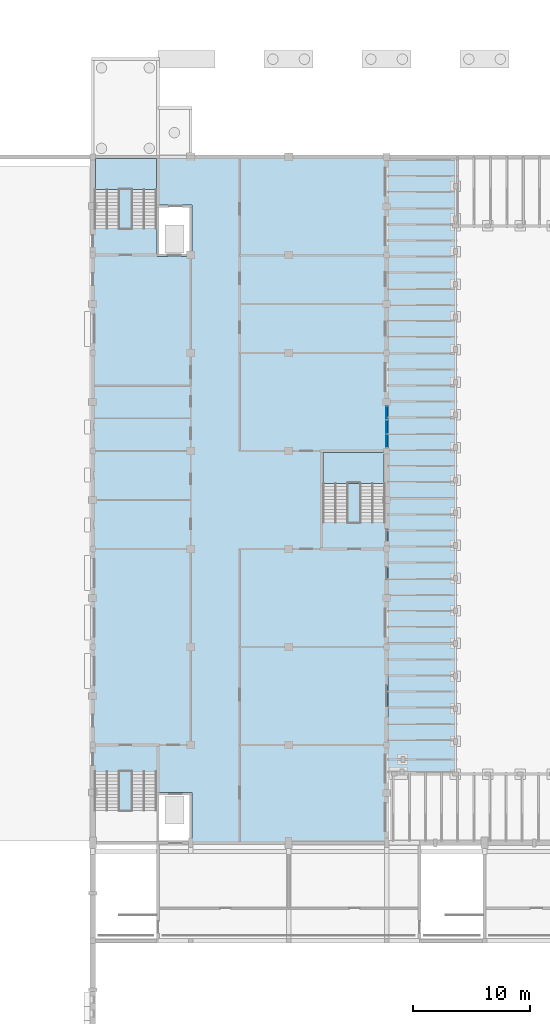
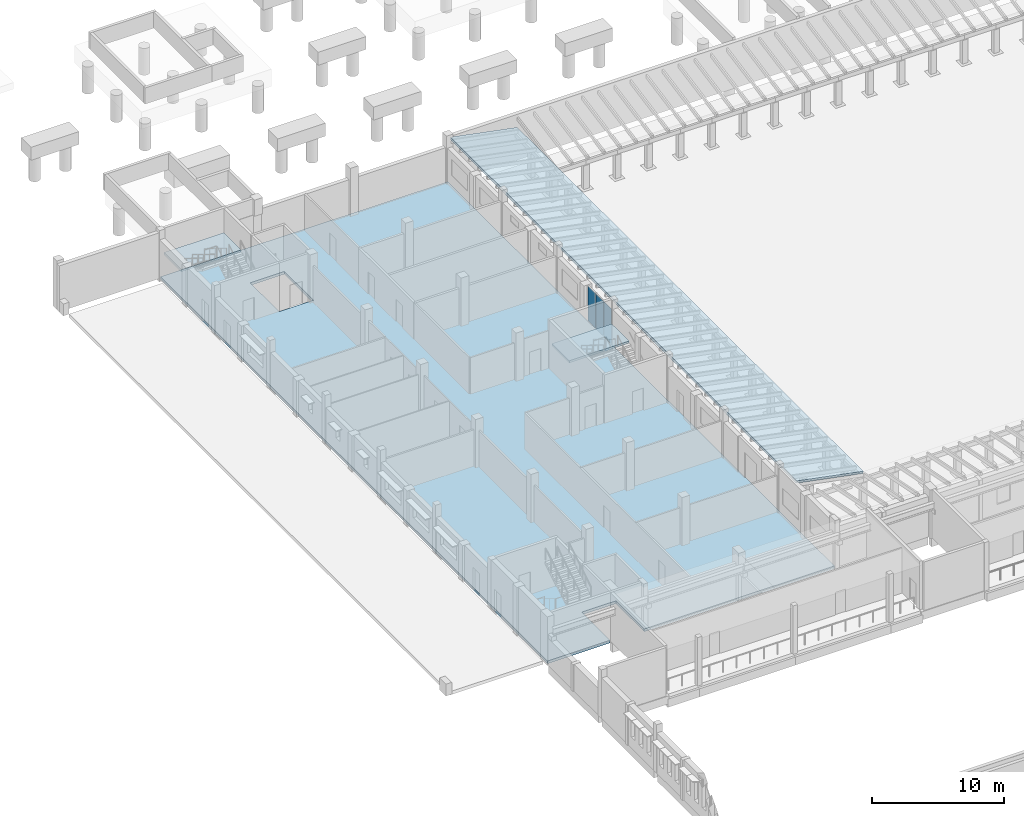
# One storey, part 28 of 60: 4 slabs, 3 plates, 3 elements without a shape of their own.
"""IFC4 building model written with IfcOpenShell, lengths in metres."""

from ifc_helpers import new_model, si_unit, direction, frame, origin, origin_2d, place, context, subcontext, project, spatial, polyline, rectangle, outline, extrude, material, layer, layer_set, type_object, element, aggregate, save


model = new_model("IFC4")

# Units and contexts
model_context = context("Model", 3, precision=1e-05, world=origin(), true_north=direction((0.0, 1.0)))
body_context = subcontext(model_context, "Body", "Model", "MODEL_VIEW")
ifc_project = project(units=[si_unit("LENGTHUNIT", "METRE"), si_unit("AREAUNIT", "SQUARE_METRE"), si_unit("VOLUMEUNIT", "CUBIC_METRE"), si_unit("PLANEANGLEUNIT", "RADIAN"), si_unit("MASSUNIT", "GRAM", prefix="KILO")], contexts=[model_context])

# Site, building, storey
site_placement = place(None, origin())
site = spatial("IfcSite", under=ifc_project, at=site_placement, CompositionType="ELEMENT")
building_placement = place(site_placement, origin())
building = spatial("IfcBuilding", under=site, at=building_placement, Name="Fescue Hill Polytechnic", CompositionType="ELEMENT")
storey_placement = place(building_placement, frame((0.0, 0.0, 4.5)))
storey = spatial("IfcBuildingStorey", under=building, at=storey_placement, Name="L01", CompositionType="ELEMENT", Elevation=4.5)

# Slab
ifc_material_1 = material(Name="Concrete 35 MPa", Category="concrete")
ifc_layer_1 = layer(ifc_material_1, 0.25)
ifc_layer_set_1 = layer_set([ifc_layer_1], Name="Concrete 35 MPa")
slab_type_1 = type_object("IfcSlabType", Name="Base slab 250", PredefinedType="BASESLAB", material=ifc_layer_set_1)
slab_1_placement = place(storey_placement, frame((0.0, 0.0, -0.25)))
element("IfcSlab", 1, at=slab_1_placement, inside=storey, type_object=slab_type_1, Name="SL-L01-V4-1", PredefinedType="BASESLAB", context=body_context, shape_type="SweptSolid", body=[
    extrude(outline(polyline([(0.0, 50.39990234375), (0.0, 109.199951171875), (25.199951171875, 109.199951171875), (25.199951171875, 50.39990234375), (8.5, 50.39990234375), (8.5, 54.699951171875), (5.5, 54.699951171875), (5.5, 50.39990234375), (0.0, 50.39990234375)]), holes=[polyline([(8.5, 100.699951171875), (8.5, 105.10009765625), (5.5, 105.10009765625), (5.5, 100.699951171875), (8.5, 100.699951171875)])]), origin(), (0.0, 0.0, 1.0), 0.25),
])

# Curtain wall, plates
ifc_material_2 = material(Name="Glass", Category="glass")
curtain_wall_type = type_object("IfcCurtainWallType", Name="Curtain wall structural glazing", PredefinedType="NOTDEFINED", material=ifc_material_2)
curtain_wall_placement = place(storey_placement, origin())
curtain_wall = element("IfcCurtainWall", 2, at=curtain_wall_placement, inside=storey, type_object=curtain_wall_type, Name="CW-L01-V4-X1", PredefinedType="NOTDEFINED")
ifc_layer_2 = layer(ifc_material_2, 0.028076171875)
ifc_layer_set_2 = layer_set([ifc_layer_2], Name="Glass")
plate_type = type_object("IfcPlateType", Name="Panel glazing 28", PredefinedType="CURTAIN_PANEL", material=ifc_layer_set_2)
plate_1_placement = place(storey_placement, frame((25.199951171875, 84.873291015625, 0.06005859375), z_axis=(0.0, 0.0, 1.0), x_axis=(0.0, 1.0, 0.0)))
plate_1 = element("IfcPlate", 3, at=plate_1_placement, type_object=plate_type, Name="CW134 panel 1.1", PredefinedType="CURTAIN_PANEL", context=body_context, shape_type="SweptSolid", body=[
    extrude(rectangle(XDim=1.126708984375, YDim=0.028076171875, at=origin_2d()), origin(), (0.0, 0.0, 1.0), 3.2099609375),
])
plate_2_placement = place(storey_placement, frame((25.199951171875, 86.074951171875, 0.06005859375), z_axis=(0.0, 0.0, 1.0), x_axis=(0.0, 1.0, 0.0)))
plate_2 = element("IfcPlate", 4, at=plate_2_placement, type_object=plate_type, Name="CW134 panel 2.1", PredefinedType="CURTAIN_PANEL", context=body_context, shape_type="SweptSolid", body=[
    extrude(rectangle(XDim=1.15673828125, YDim=0.028076171875, at=origin_2d()), origin(), (0.0, 0.0, 1.0), 3.2099609375),
])
plate_3_placement = place(storey_placement, frame((25.199951171875, 87.276611328125, 0.06005859375), z_axis=(0.0, 0.0, 1.0), x_axis=(0.0, 1.0, 0.0)))
plate_3 = element("IfcPlate", 5, at=plate_3_placement, type_object=plate_type, Name="CW134 panel 3.1", PredefinedType="CURTAIN_PANEL", context=body_context, shape_type="SweptSolid", body=[
    extrude(rectangle(XDim=1.126708984375, YDim=0.028076171875, at=origin_2d()), origin(), (0.0, 0.0, 1.0), 3.2099609375),
])
aggregate(curtain_wall, [plate_1, plate_2, plate_3])

# Stair, slab
stair_type = type_object("IfcStairType", Name="Half-turn stair 2150 flights", PredefinedType="HALF_TURN_STAIR", material=ifc_material_1)
stair_1_placement = place(storey_placement, origin())
stair_1 = element("IfcStair", 6, at=stair_1_placement, inside=storey, type_object=stair_type, Name="L01 ST-V4-2 stair", PredefinedType="HALF_TURN_STAIR")
ifc_layer_3 = layer(ifc_material_1, 0.199951171875)
ifc_layer_set_3 = layer_set([ifc_layer_3], Name="Concrete 35 MPa")
slab_type_2 = type_object("IfcSlabType", Name="Stair landing slab 200", PredefinedType="LANDING", material=ifc_layer_set_3)
slab_2_placement = place(storey_placement, frame((0.0, 0.0, 2.050048828125)))
slab_2 = element("IfcSlab", 7, at=slab_2_placement, type_object=slab_type_2, Name="S16 landing 1", PredefinedType="LANDING", context=body_context, shape_type="SweptSolid", body=[
    extrude(outline(polyline([(0.22509765625, 106.43505859375), (5.47509765625, 106.43505859375), (5.47509765625, 109.074951171875), (0.22509765625, 109.074951171875), (0.22509765625, 106.43505859375)])), origin(), (0.0, 0.0, 1.0), 0.199951171875),
])
aggregate(stair_1, [slab_2])

stair_2_placement = place(storey_placement, origin())
stair_2 = element("IfcStair", 8, at=stair_2_placement, inside=storey, type_object=stair_type, Name="L01 ST-V4-3 stair", PredefinedType="HALF_TURN_STAIR")
slab_3_placement = place(storey_placement, frame((0.0, 0.0, 2.050048828125)))
slab_3 = element("IfcSlab", 9, at=slab_3_placement, type_object=slab_type_2, Name="S17 landing 1", PredefinedType="LANDING", context=body_context, shape_type="SweptSolid", body=[
    extrude(outline(polyline([(19.72509765625, 81.235107421875), (24.97509765625, 81.235107421875), (24.97509765625, 83.875), (19.72509765625, 83.875), (19.72509765625, 81.235107421875)])), origin(), (0.0, 0.0, 1.0), 0.199951171875),
])
aggregate(stair_2, [slab_3])

# Slab
ifc_material_3 = material(Name="Timber deck with membrane roofing", Category="wood")
ifc_layer_4 = layer(ifc_material_3, 0.199951171875)
ifc_layer_set_4 = layer_set([ifc_layer_4], Name="Timber deck with membrane roofing")
slab_type_3 = type_object("IfcSlabType", Name="Veranda roof deck 200", PredefinedType="ROOF", material=ifc_layer_set_4)
slab_4_placement = place(storey_placement, frame((25.324951171875, 56.39990234375, 4.199951171875), z_axis=(0.192083331744, 0.0, 0.981378618916), x_axis=(0.981378618916, 0.0, -0.192083331744)))
element("IfcSlab", 10, at=slab_4_placement, inside=storey, type_object=slab_type_3, Name="Laboratory veranda roof", PredefinedType="ROOF", context=body_context, shape_type="SweptSolid", body=[
    extrude(outline(polyline([(0.0, 0.0), (5.986476459501177, 0.0), (5.986476459501177, 52.625), (0.0, 52.625), (0.0, 0.0)])), origin(), (0.0, 0.0, -1.0), 0.199951171875),
])

save(model, "model.ifc")
